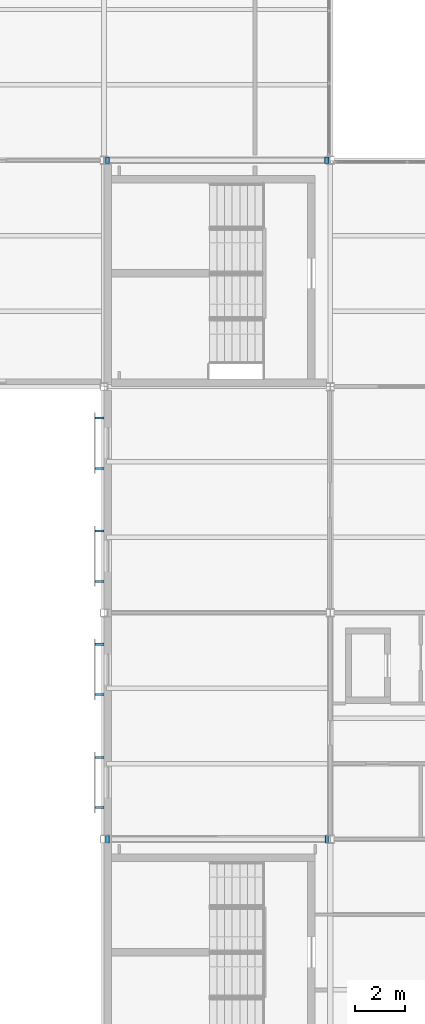
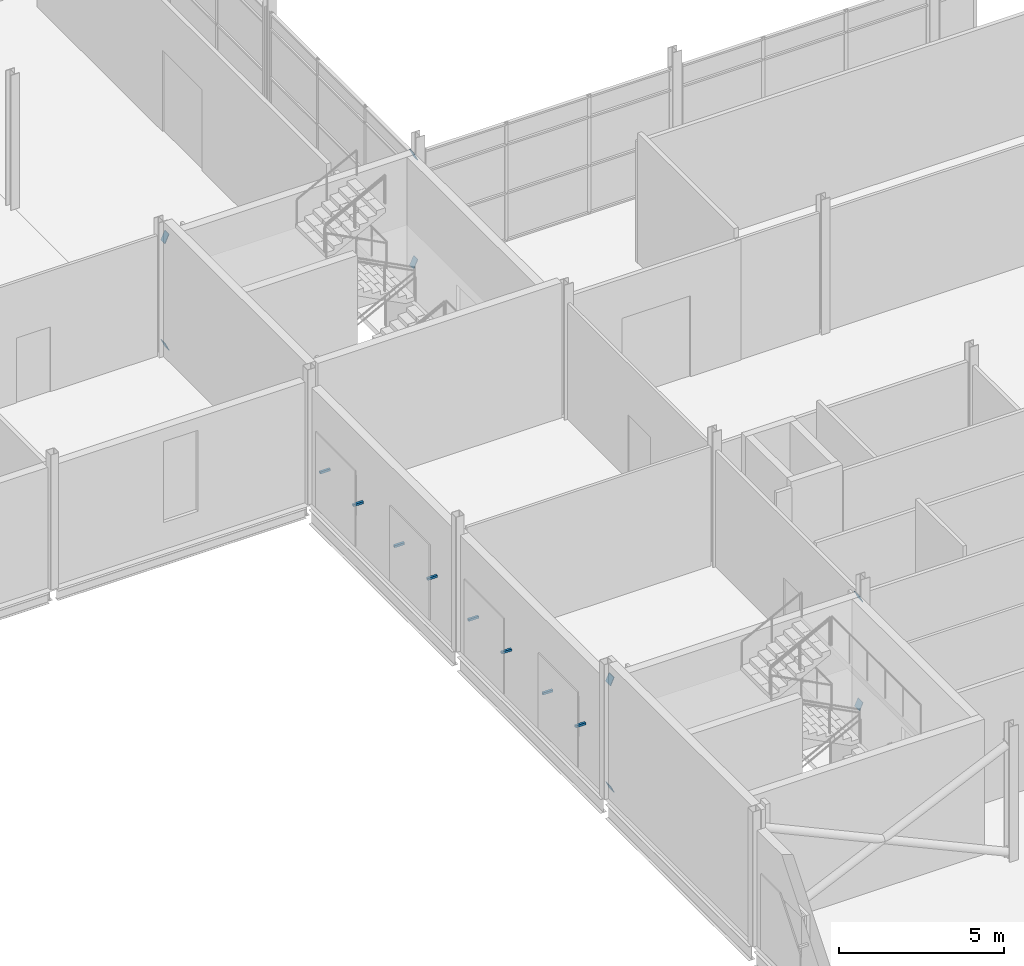
# One storey, part 96 of 112: 16 discrete accessories.
"""IFC4 building model written with IfcOpenShell, lengths in metres."""

from ifc_helpers import new_model, si_unit, direction, frame, origin, origin_2d, place, context, subcontext, project, spatial, polyline, rectangle, outline, extrude, material, layer, layer_set, type_object, element, save


model = new_model("IFC4")

# Units and contexts
model_context = context("Model", 3, precision=1e-05, world=origin(), true_north=direction((0.0, 1.0)))
body_context = subcontext(model_context, "Body", "Model", "MODEL_VIEW")
ifc_project = project(units=[si_unit("LENGTHUNIT", "METRE"), si_unit("AREAUNIT", "SQUARE_METRE"), si_unit("VOLUMEUNIT", "CUBIC_METRE"), si_unit("PLANEANGLEUNIT", "RADIAN"), si_unit("MASSUNIT", "GRAM", prefix="KILO")], contexts=[model_context])

# Site, building, storey
site_placement = place(None, origin())
site = spatial("IfcSite", under=ifc_project, at=site_placement, CompositionType="ELEMENT")
building_placement = place(site_placement, origin())
building = spatial("IfcBuilding", under=site, at=building_placement, Name="Shorebreak Coast Museum", CompositionType="ELEMENT")
storey_placement = place(building_placement, frame((0.0, 0.0, 6.0)))
storey = spatial("IfcBuildingStorey", under=building, at=storey_placement, Name="L01", CompositionType="ELEMENT", Elevation=6.0)

# Discrete accessories
ifc_material_1 = material(Name="Steel Grade 300", Category="steel")
ifc_layer_1 = layer(ifc_material_1, 0.02490234375)
ifc_layer_set_1 = layer_set([ifc_layer_1], Name="Steel Grade 300")
discrete_accessory_type_1 = type_object("IfcDiscreteAccessoryType", Name="End plate 250 x 350 x 25", PredefinedType="BRACKET", material=ifc_layer_set_1)
discrete_accessory_1_placement = place(storey_placement, frame((54.227294921875, 62.875, 0.140869140625), z_axis=(0.909383974787, 0.0, 0.415957673809), x_axis=(0.0, 1.0, 0.0)))
element("IfcDiscreteAccessory", 1, at=discrete_accessory_1_placement, inside=storey, type_object=discrete_accessory_type_1, Name="End plate X-brace bay 01 L01 diagonal 1 end 1", PredefinedType="BRACKET", context=body_context, shape_type="SweptSolid", body=[
    extrude(outline(polyline([(0.0, 0.0), (0.25, 0.0), (0.25, 0.34981398748477216), (0.0, 0.34981398748477216), (0.0, 0.0)])), origin(), (0.0, 0.0, -1.0), 0.02490234375),
])
discrete_accessory_2_placement = place(storey_placement, frame((62.93994140625, 62.875, 4.126220703125), z_axis=(0.909504613819, 0.0, 0.415693826562), x_axis=(0.0, 1.0, 0.0)))
element("IfcDiscreteAccessory", 2, at=discrete_accessory_2_placement, inside=storey, type_object=discrete_accessory_type_1, Name="End plate X-brace bay 01 L01 diagonal 1 end 2", PredefinedType="BRACKET", context=body_context, shape_type="SweptSolid", body=[
    extrude(outline(polyline([(0.0, 0.0), (0.25, 0.0), (0.25, 0.3500360197878581), (0.0, 0.3500360197878581), (0.0, 0.0)])), origin(), (0.0, 0.0, -1.0), 0.02490234375),
])
discrete_accessory_3_placement = place(storey_placement, frame((62.771728515625, 63.125, 0.140869140625), z_axis=(-0.909383974787, 0.0, 0.415957673809), x_axis=(0.0, -1.0, 0.0)))
element("IfcDiscreteAccessory", 3, at=discrete_accessory_3_placement, inside=storey, type_object=discrete_accessory_type_1, Name="End plate X-brace bay 01 L01 diagonal 2 end 1", PredefinedType="BRACKET", context=body_context, shape_type="SweptSolid", body=[
    extrude(outline(polyline([(0.0, 0.0), (0.25, 0.0), (0.25, 0.34981398748477216), (0.0, 0.34981398748477216), (0.0, 0.0)])), origin(), (0.0, 0.0, -1.0), 0.02490234375),
])
discrete_accessory_4_placement = place(storey_placement, frame((54.05908203125, 63.125, 4.126220703125), z_axis=(-0.909504613819, 0.0, 0.415693826562), x_axis=(0.0, -1.0, 0.0)))
element("IfcDiscreteAccessory", 4, at=discrete_accessory_4_placement, inside=storey, type_object=discrete_accessory_type_1, Name="End plate X-brace bay 01 L01 diagonal 2 end 2", PredefinedType="BRACKET", context=body_context, shape_type="SweptSolid", body=[
    extrude(outline(polyline([(0.0, 0.0), (0.25, 0.0), (0.25, 0.3500360197878581), (0.0, 0.3500360197878581), (0.0, 0.0)])), origin(), (0.0, 0.0, -1.0), 0.02490234375),
])
ifc_material_2 = material(Name="Steel Grade 300", Category="steel")
ifc_layer_2 = layer(ifc_material_2, 0.02490234375)
ifc_layer_set_2 = layer_set([ifc_layer_2], Name="Steel Grade 300")
discrete_accessory_type_2 = type_object("IfcDiscreteAccessoryType", Name="End plate 300 x 300 x 25", PredefinedType="BRACKET", material=ifc_layer_set_2)
discrete_accessory_5_placement = place(storey_placement, frame((54.21240234375, 35.85009765625, 0.16357421875), z_axis=(0.909360103086, 0.0, 0.416009859156), x_axis=(0.0, 1.0, 0.0)))
element("IfcDiscreteAccessory", 5, at=discrete_accessory_5_placement, inside=storey, type_object=discrete_accessory_type_2, Name="End plate X-brace bay 16 L01 diagonal 1 end 1", PredefinedType="BRACKET", context=body_context, shape_type="SweptSolid", body=[
    extrude(outline(polyline([(0.0, 0.0), (0.2998046875, 0.0), (0.2998046875, 0.29988678544336883), (0.0, 0.29988678544336883), (0.0, 0.0)])), origin(), (0.0, 0.0, -1.0), 0.02490234375),
])
discrete_accessory_6_placement = place(storey_placement, frame((62.9306640625, 35.85009765625, 4.14892578125), z_axis=(0.909500839953, 0.0, 0.415702083378), x_axis=(0.0, 1.0, 0.0)))
element("IfcDiscreteAccessory", 6, at=discrete_accessory_6_placement, inside=storey, type_object=discrete_accessory_type_2, Name="End plate X-brace bay 16 L01 diagonal 1 end 2", PredefinedType="BRACKET", context=body_context, shape_type="SweptSolid", body=[
    extrude(outline(polyline([(0.0, 0.0), (0.2998046875, 0.0), (0.2998046875, 0.30010881437343706), (0.0, 0.30010881437343706), (0.0, 0.0)])), origin(), (0.0, 0.0, -1.0), 0.02490234375),
])
discrete_accessory_7_placement = place(storey_placement, frame((62.783203125, 36.14990234375, 0.16357421875), z_axis=(-0.909360103086, 0.0, 0.416009859156), x_axis=(0.0, -1.0, 0.0)))
element("IfcDiscreteAccessory", 7, at=discrete_accessory_7_placement, inside=storey, type_object=discrete_accessory_type_2, Name="End plate X-brace bay 16 L01 diagonal 2 end 1", PredefinedType="BRACKET", context=body_context, shape_type="SweptSolid", body=[
    extrude(outline(polyline([(0.0, 0.0), (0.2998046875, 0.0), (0.2998046875, 0.29988678544336883), (0.0, 0.29988678544336883), (0.0, 0.0)])), origin(), (0.0, 0.0, -1.0), 0.02490234375),
])
discrete_accessory_8_placement = place(storey_placement, frame((54.06494140625, 36.14990234375, 4.14892578125), z_axis=(-0.909500839953, 0.0, 0.415702083378), x_axis=(0.0, -1.0, 0.0)))
element("IfcDiscreteAccessory", 8, at=discrete_accessory_8_placement, inside=storey, type_object=discrete_accessory_type_2, Name="End plate X-brace bay 16 L01 diagonal 2 end 2", PredefinedType="BRACKET", context=body_context, shape_type="SweptSolid", body=[
    extrude(outline(polyline([(0.0, 0.0), (0.2998046875, 0.0), (0.2998046875, 0.30010881437343706), (0.0, 0.30010881437343706), (0.0, 0.0)])), origin(), (0.0, 0.0, -1.0), 0.02490234375),
])
ifc_material_3 = material(Name="Aluminium", Category="aluminium")
discrete_accessory_type_3 = type_object("IfcDiscreteAccessoryType", Name="Fixing bracket 80 x 350", PredefinedType="BRACKET", material=ifc_material_3)
for number, where, z_axis, x_axis, name in (
    (9, (53.824951171875, 37.25, 1.909912109375), (0.0, 0.0, 1.0), (1.0, 0.0, 0.0), "Fixing bracket"),
    (10, (53.824951171875, 39.25, 1.909912109375), (0.0, 0.0, 1.0), (1.0, 0.0, 0.0), "Fixing bracket"),
    (11, (53.824951171875, 41.75, 1.909912109375), (0.0, 0.0, 1.0), (1.0, 0.0, 0.0), "Fixing bracket"),
    (12, (53.824951171875, 43.75, 1.909912109375), (0.0, 0.0, 1.0), (1.0, 0.0, 0.0), "Fixing bracket"),
    (13, (53.824951171875, 46.25, 1.909912109375), (0.0, 0.0, 1.0), (1.0, 0.0, 0.0), "Fixing bracket"),
    (14, (53.824951171875, 48.25, 1.909912109375), (0.0, 0.0, 1.0), (1.0, 0.0, 0.0), "Fixing bracket"),
    (15, (53.824951171875, 50.75, 1.909912109375), (0.0, 0.0, 1.0), (1.0, 0.0, 0.0), "Fixing bracket"),
    (16, (53.824951171875, 52.75, 1.909912109375), (0.0, 0.0, 1.0), (1.0, 0.0, 0.0), "Fixing bracket"),
):
    element("IfcDiscreteAccessory", number, at=place(storey_placement, frame(where, z_axis=z_axis, x_axis=x_axis)), inside=storey, type_object=discrete_accessory_type_3, Name=name, PredefinedType="BRACKET", context=body_context, shape_type="SweptSolid", body=[
        extrude(rectangle(XDim=0.35009765625, YDim=0.080078125, at=origin_2d()), origin(), (0.0, 0.0, 1.0), 0.080078125),
    ])

save(model, "model.ifc")
